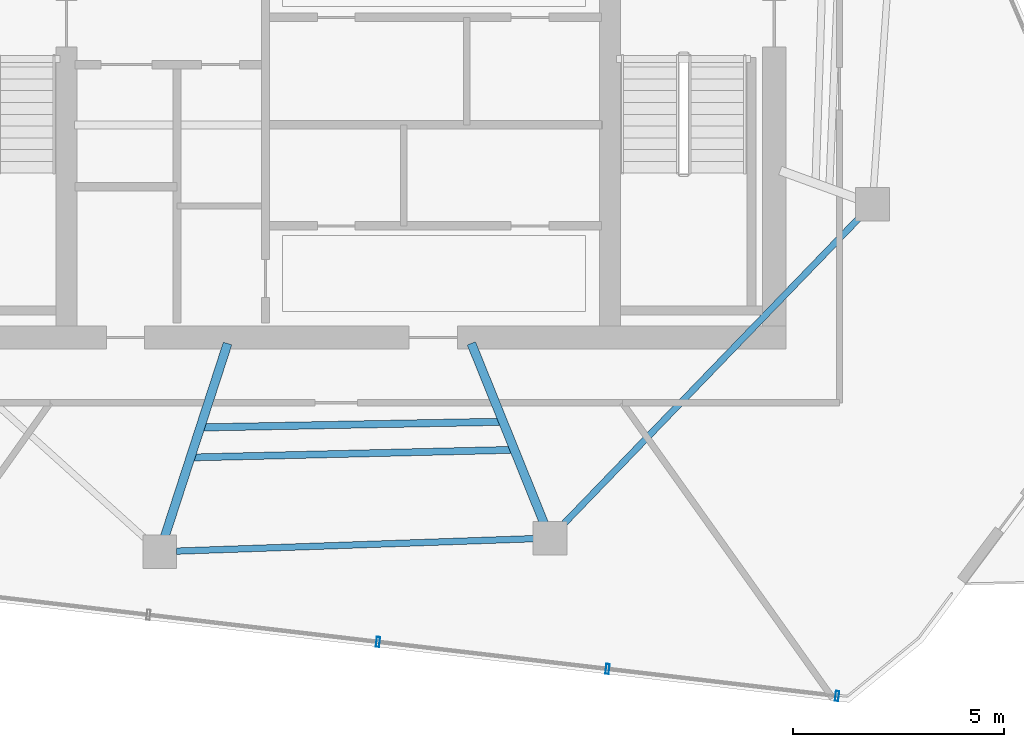
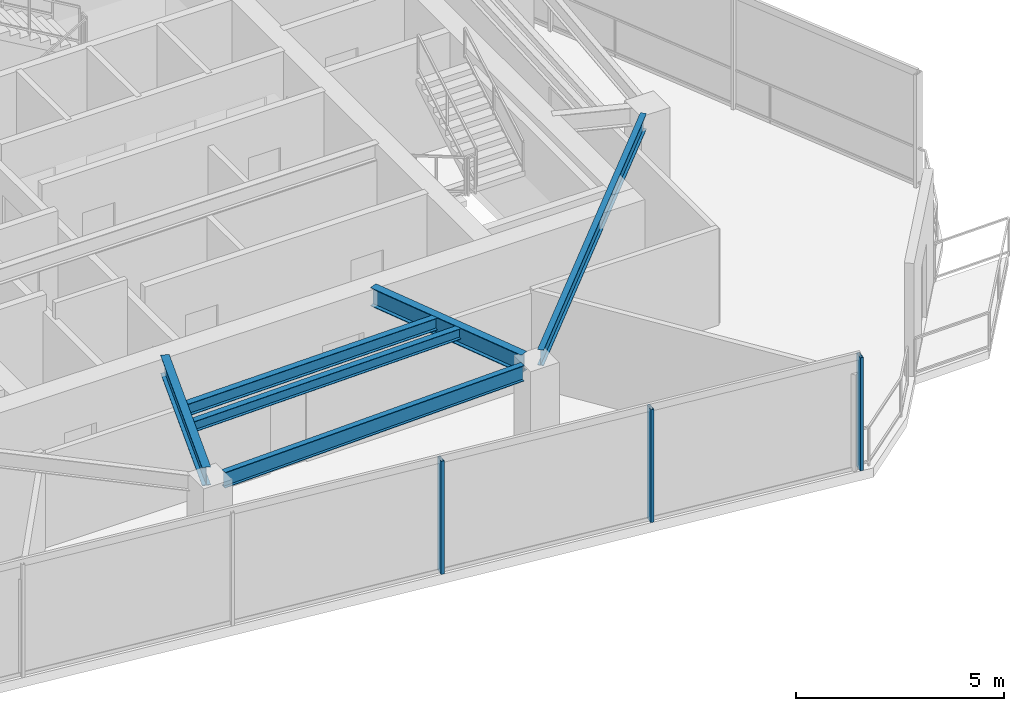
# One storey, part 4 of 18: 6 beams, 3 members, 1 element without a shape of its own.
"""IFC4 building model written with IfcOpenShell, lengths in metres."""

from ifc_helpers import new_model, si_unit, direction, frame, origin, origin_2d, place, context, subcontext, project, spatial, hollow_rectangle, i_section, extrude, material, layer, layer_set, material_profile, profile_set, type_object, element, aggregate, save


model = new_model("IFC4")

# Units and contexts
model_context = context("Model", 3, precision=1e-05, world=origin(), true_north=direction((0.0, 1.0)))
body_context = subcontext(model_context, "Body", "Model", "MODEL_VIEW")
ifc_project = project(units=[si_unit("LENGTHUNIT", "METRE"), si_unit("AREAUNIT", "SQUARE_METRE"), si_unit("VOLUMEUNIT", "CUBIC_METRE"), si_unit("PLANEANGLEUNIT", "RADIAN"), si_unit("MASSUNIT", "GRAM", prefix="KILO")], contexts=[model_context])

# Site, building, storey
site_placement = place(None, origin())
site = spatial("IfcSite", under=ifc_project, at=site_placement, CompositionType="ELEMENT")
building_placement = place(site_placement, origin())
building = spatial("IfcBuilding", under=site, at=building_placement, Name="Qarnah Convention Tower", CompositionType="ELEMENT")
storey_placement = place(building_placement, frame((0.0, 0.0, 267.89990234375)))
storey = spatial("IfcBuildingStorey", under=building, at=storey_placement, Name="L72", CompositionType="ELEMENT", Elevation=267.89990234375)

# Beams
ifc_material_1 = material(Name="Structural steel S355JR", Category="steel")
ifc_material_profile_1 = material_profile(ifc_material_1, i_section(OverallWidth=0.166015625, OverallDepth=0.31201171875, WebThickness=0.007080078125, FlangeThickness=0.010986328125, at=origin_2d()), Name="W310X45")
ifc_profile_set_1 = profile_set([ifc_material_profile_1], Name="Structural steel S355JR")
beam_type_1 = type_object("IfcBeamType", Name="BM-JST-W310", PredefinedType="JOIST", material=ifc_profile_set_1)
beam_1_placement = place(storey_placement, frame((33.830078125, 15.7529296875, 3.1640625), z_axis=(0.999719227752, 0.023695266672, 0.0), x_axis=(-0.023695266672, 0.999719227752, 0.0)))
element("IfcBeam", 1, at=beam_1_placement, inside=storey, type_object=beam_type_1, Name="L72 joist BM-L72-SJST-07", PredefinedType="JOIST", context=body_context, shape_type="SweptSolid", body=[
    extrude(i_section(OverallWidth=0.166015625, OverallDepth=0.31201171875, WebThickness=0.007080078125, FlangeThickness=0.010986328125, at=origin_2d()), origin(), (0.0, 0.0, 1.0), 7.51123046875),
])
ifc_material_profile_2 = material_profile(ifc_material_1, i_section(OverallWidth=0.172119140625, OverallDepth=0.35595703125, WebThickness=0.007080078125, FlangeThickness=0.011962890625, at=origin_2d()), Name="W360X51")
ifc_profile_set_2 = profile_set([ifc_material_profile_2], Name="Structural steel S355JR")
beam_type_2 = type_object("IfcBeamType", Name="BM-JST-W360", PredefinedType="JOIST", material=ifc_profile_set_2)
beam_2_placement = place(storey_placement, frame((34.06201171875, 16.465087890625, 3.14208984375), z_axis=(0.999820470535, 0.01894799986, 0.0), x_axis=(-0.01894799986, 0.999820470535, 0.0)))
element("IfcBeam", 2, at=beam_2_placement, inside=storey, type_object=beam_type_2, Name="L72 joist BM-L72-IJST-07", PredefinedType="JOIST", context=body_context, shape_type="SweptSolid", body=[
    extrude(i_section(OverallWidth=0.172119140625, OverallDepth=0.35595703125, WebThickness=0.007080078125, FlangeThickness=0.011962890625, at=origin_2d()), origin(), (0.0, 0.0, 1.0), 7.00927734375),
])
ifc_material_profile_3 = material_profile(ifc_material_1, i_section(OverallWidth=0.2119140625, OverallDepth=0.5400390625, WebThickness=0.011962890625, FlangeThickness=0.01904296875, at=origin_2d()), Name="W530X109")
ifc_profile_set_3 = profile_set([ifc_material_profile_3], Name="Structural steel S355JR")
beam_type_3 = type_object("IfcBeamType", Name="BM-RAD-W530A", PredefinedType="BEAM", material=ifc_profile_set_3)
beam_3_placement = place(storey_placement, frame((34.6201171875, 18.45703125, 3.050048828125), z_axis=(-0.309228111383, -0.950987894313, 0.0), x_axis=(0.950987894313, -0.309228111383, 0.0)))
element("IfcBeam", 3, at=beam_3_placement, inside=storey, type_object=beam_type_3, Name="L72 beam BM-L72-RAD-07", PredefinedType="BEAM", context=body_context, shape_type="SweptSolid", body=[
    extrude(i_section(OverallWidth=0.2119140625, OverallDepth=0.5400390625, WebThickness=0.011962890625, FlangeThickness=0.01904296875, at=origin_2d()), origin(), (0.0, 0.0, 1.0), 4.819091796875),
])
beam_4_placement = place(storey_placement, frame((40.407958984375, 18.4609375, 3.050048828125), z_axis=(0.374622495532, -0.927177429536, 0.0), x_axis=(0.927177429536, 0.374622495532, 0.0)))
element("IfcBeam", 4, at=beam_4_placement, inside=storey, type_object=beam_type_3, Name="L72 beam BM-L72-RAD-08", PredefinedType="BEAM", context=body_context, shape_type="SweptSolid", body=[
    extrude(i_section(OverallWidth=0.2119140625, OverallDepth=0.5400390625, WebThickness=0.011962890625, FlangeThickness=0.01904296875, at=origin_2d()), origin(), (0.0, 0.0, 1.0), 4.607421875),
])
ifc_material_profile_4 = material_profile(ifc_material_1, i_section(OverallWidth=0.154052734375, OverallDepth=0.4599609375, WebThickness=0.009033203125, FlangeThickness=0.014892578125, at=origin_2d()), Name="W460X68")
ifc_profile_set_4 = profile_set([ifc_material_profile_4], Name="Structural steel S355JR")
beam_type_4 = type_object("IfcBeamType", Name="BM-SPN-W460B", PredefinedType="SPANDREL", material=ifc_profile_set_4)
beam_5_placement = place(storey_placement, frame((33.403076171875, 13.527099609375, 3.090087890625), z_axis=(0.999392187652, 0.034860511467, 0.0), x_axis=(-0.034860511467, 0.999392187652, 0.0)))
element("IfcBeam", 5, at=beam_5_placement, inside=storey, type_object=beam_type_4, Name="L72 spandrel BM-L72-SPN-07", PredefinedType="SPANDREL", context=body_context, shape_type="SweptSolid", body=[
    extrude(i_section(OverallWidth=0.154052734375, OverallDepth=0.4599609375, WebThickness=0.009033203125, FlangeThickness=0.014892578125, at=origin_2d()), origin(), (0.0, 0.0, 1.0), 8.488037109375),
])
beam_6_placement = place(storey_placement, frame((42.547119140625, 14.117919921875, 3.090087890625), z_axis=(0.694687671008, 0.719311503974, 0.0), x_axis=(-0.719311503974, 0.694687671008, 0.0)))
element("IfcBeam", 6, at=beam_6_placement, inside=storey, type_object=beam_type_4, Name="L72 spandrel BM-L72-SPN-08", PredefinedType="SPANDREL", context=body_context, shape_type="SweptSolid", body=[
    extrude(i_section(OverallWidth=0.154052734375, OverallDepth=0.4599609375, WebThickness=0.009033203125, FlangeThickness=0.014892578125, at=origin_2d()), origin(), (0.0, 0.0, 1.0), 10.241943359375),
])

# Curtain wall, members
ifc_material_2 = material(Name="Tempered Low-E dark glass", Category="glass")
ifc_layer = layer(ifc_material_2, 0.176025390625)
ifc_layer_set = layer_set([ifc_layer], Name="Tempered Low-E dark glass")
curtain_wall_type = type_object("IfcCurtainWallType", Name="CWS-05", PredefinedType="NOTDEFINED", material=ifc_layer_set)
curtain_wall_placement = place(storey_placement, origin())
curtain_wall = element("IfcCurtainWall", 7, at=curtain_wall_placement, inside=storey, type_object=curtain_wall_type, Name="L72 unitised curtain wall CW-L72-F3", PredefinedType="NOTDEFINED")
ifc_material_3 = material(Name="Black anodised aluminium", Category="aluminium")
ifc_material_profile_5 = material_profile(ifc_material_3, hollow_rectangle(XDim=0.080078125, YDim=0.239990234375, WallThickness=0.0048828125, at=origin_2d()), Name="MUL-80X240")
ifc_profile_set_5 = profile_set([ifc_material_profile_5], Name="Black anodised aluminium")
member_type = type_object("IfcMemberType", Name="MUL-T5", PredefinedType="MULLION", material=ifc_profile_set_5)
member_1_placement = place(storey_placement, frame((49.093017578125, 10.087890625, 0.0), z_axis=(0.0, 0.0, 1.0), x_axis=(-0.993129942913, 0.11701673594, 0.0)))
member_1 = element("IfcMember", 8, at=member_1_placement, type_object=member_type, Name="CW-L72-F3 mullion 1", PredefinedType="MULLION", context=body_context, shape_type="SweptSolid", body=[
    extrude(hollow_rectangle(XDim=0.080078125, YDim=0.239990234375, WallThickness=0.0048828125, at=origin_2d()), origin(), (0.0, 0.0, 1.0), 3.320068359375),
])
member_2_placement = place(storey_placement, frame((43.642578125, 10.730224609375, 0.0), z_axis=(0.0, 0.0, 1.0), x_axis=(-0.993129942913, 0.11701673594, 0.0)))
member_2 = element("IfcMember", 9, at=member_2_placement, type_object=member_type, Name="CW-L72-F3 mullion 2", PredefinedType="MULLION", context=body_context, shape_type="SweptSolid", body=[
    extrude(hollow_rectangle(XDim=0.080078125, YDim=0.239990234375, WallThickness=0.0048828125, at=origin_2d()), origin(), (0.0, 0.0, 1.0), 3.320068359375),
])
member_3_placement = place(storey_placement, frame((38.192138671875, 11.372314453125, 0.0), z_axis=(0.0, 0.0, 1.0), x_axis=(-0.993129942913, 0.11701673594, 0.0)))
member_3 = element("IfcMember", 10, at=member_3_placement, type_object=member_type, Name="CW-L72-F3 mullion 3", PredefinedType="MULLION", context=body_context, shape_type="SweptSolid", body=[
    extrude(hollow_rectangle(XDim=0.080078125, YDim=0.239990234375, WallThickness=0.0048828125, at=origin_2d()), origin(), (0.0, 0.0, 1.0), 3.320068359375),
])
aggregate(curtain_wall, [member_1, member_2, member_3])

save(model, "model.ifc")
